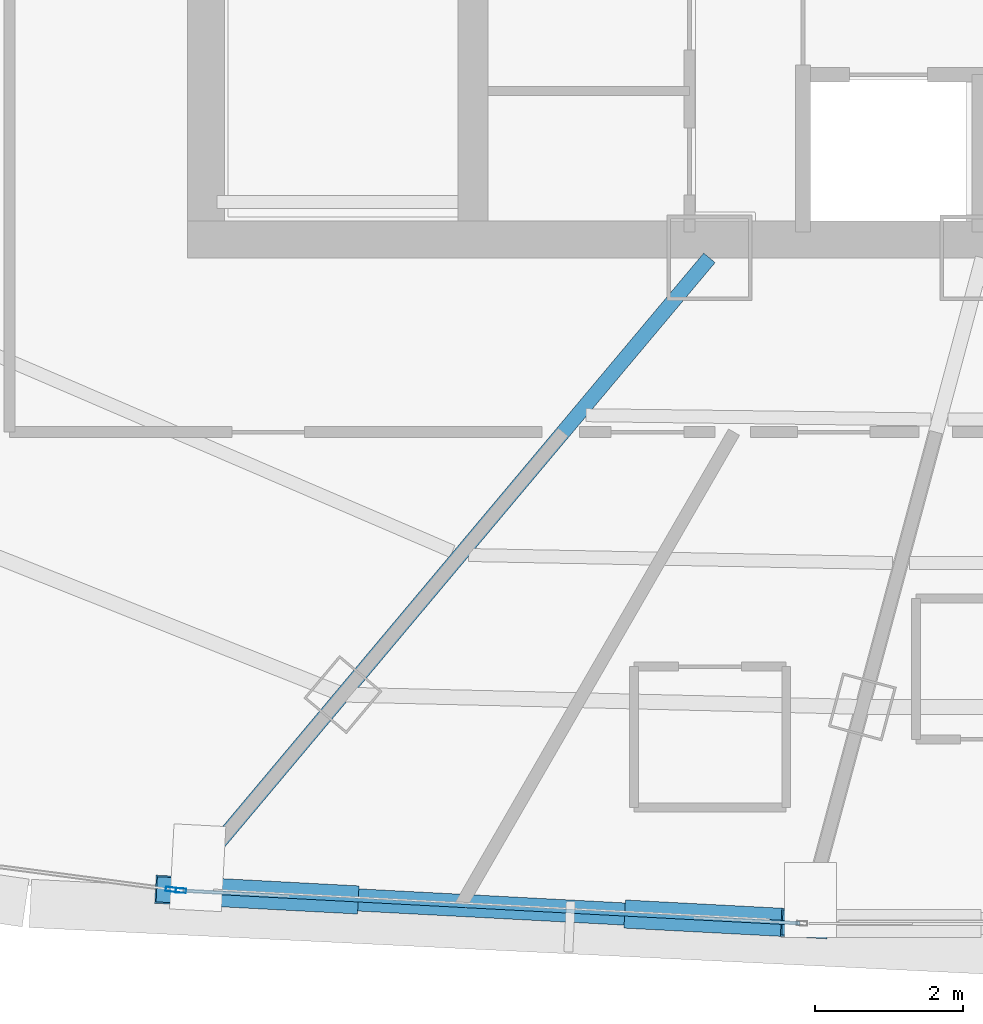
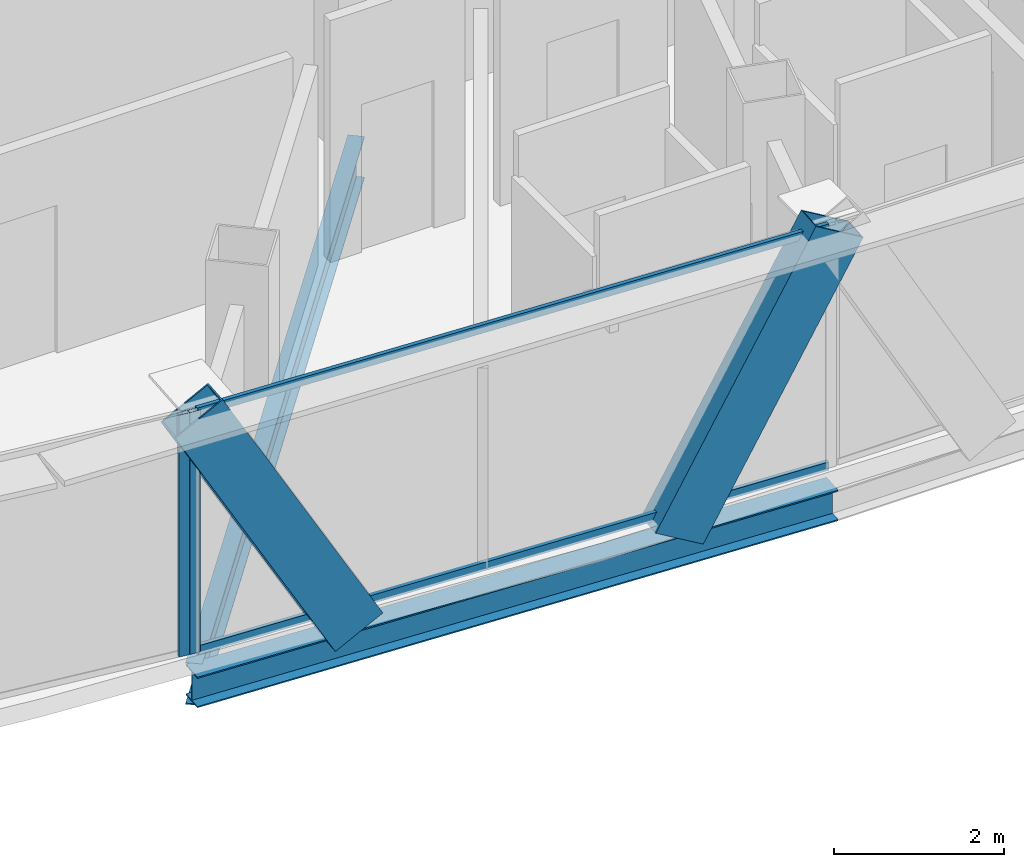
# One storey, part 6 of 39: 6 members, 2 beams, 2 elements without a shape of their own.
"""IFC4 building model written with IfcOpenShell, lengths in metres."""

from ifc_helpers import new_model, si_unit, direction, frame, origin, origin_2d, place, context, subcontext, project, spatial, hollow_rectangle, i_section, extrude, source, transform, mapped, material, layer, layer_set, material_profile, profile_set, type_object, element, aggregate, save


model = new_model("IFC4")

# Units and contexts
model_context = context("Model", 3, precision=1e-05, world=origin(), true_north=direction((0.0, 1.0)))
body_context = subcontext(model_context, "Body", "Model", "MODEL_VIEW")
ifc_project = project(units=[si_unit("LENGTHUNIT", "METRE"), si_unit("AREAUNIT", "SQUARE_METRE"), si_unit("VOLUMEUNIT", "CUBIC_METRE"), si_unit("PLANEANGLEUNIT", "RADIAN"), si_unit("MASSUNIT", "GRAM", prefix="KILO"), si_unit("THERMODYNAMICTEMPERATUREUNIT", "KELVIN"), si_unit("POWERUNIT", "WATT")], contexts=[model_context])

# Site, building, storey
site_placement = place(None, origin())
site = spatial("IfcSite", under=ifc_project, at=site_placement, CompositionType="ELEMENT")
building_placement = place(site_placement, origin())
building = spatial("IfcBuilding", under=site, at=building_placement, Name="Yunzhuo Pagoda Commons", CompositionType="ELEMENT")
storey_placement = place(building_placement, frame((0.0, 0.0, 285.02001953125)))
storey = spatial("IfcBuildingStorey", under=building, at=storey_placement, Name="L71", CompositionType="ELEMENT", Elevation=285.02001953125)

# Beams
ifc_material_1 = material(Name="Structural steel Q355B", Category="steel")
ifc_material_profile_1 = material_profile(ifc_material_1, i_section(OverallWidth=0.300048828125, OverallDepth=0.43994140625, WebThickness=0.010986328125, FlangeThickness=0.01806640625, at=origin_2d()), Name="Structural steel Q355B")
ifc_profile_set_1 = profile_set([ifc_material_profile_1], Name="Structural steel Q355B")
beam_type_1 = type_object("IfcBeamType", Name="B-SP2 Beam HM 440x300x11x18", PredefinedType="BEAM", material=ifc_profile_set_1)
shared_shape_1 = source(origin(), body_context, "Body", "SweptSolid", [
    extrude(i_section(OverallWidth=0.300048828125, OverallDepth=0.43994140625, WebThickness=0.010986328125, FlangeThickness=0.01806640625, at=origin_2d()), origin(), (0.0, 0.0, 1.0), 8.447021484375),
])
beam_1_placement = place(storey_placement, frame((35.431640625, 18.72119140625, -0.47998046875), z_axis=(0.99860638853, -0.05277575947, 0.0), x_axis=(0.05277575947, 0.99860638853, 0.0)))
element("IfcBeam", 1, at=beam_1_placement, inside=storey, type_object=beam_type_1, Name="L71 facade edge spandrel beam F1.1", PredefinedType="BEAM", context=body_context, shape_type="MappedRepresentation", body=[
    mapped(shared_shape_1, transform((0.0, 0.0, 0.0), scale=1.0)),
])
ifc_material_profile_2 = material_profile(ifc_material_1, i_section(OverallWidth=0.199951171875, OverallDepth=0.60009765625, WebThickness=0.010986328125, FlangeThickness=0.01708984375, at=origin_2d()), Name="Structural steel Q355B")
ifc_profile_set_2 = profile_set([ifc_material_profile_2], Name="Structural steel Q355B")
beam_type_2 = type_object("IfcBeamType", Name="B-RG3 Beam HN 600x200x11x17", PredefinedType="BEAM", material=ifc_profile_set_2)
shared_shape_2 = source(origin(), body_context, "Body", "SweptSolid", [
    extrude(i_section(OverallWidth=0.199951171875, OverallDepth=0.60009765625, WebThickness=0.010986328125, FlangeThickness=0.01708984375, at=origin_2d()), origin(), (0.0, 0.0, 1.0), 10.978515625),
])
beam_2_placement = place(storey_placement, frame((35.531005859375, 18.840087890625, -0.56005859375), z_axis=(0.642794591419, 0.766038584695, 0.0), x_axis=(-0.766038584695, 0.642794591419, 0.0)))
element("IfcBeam", 2, at=beam_2_placement, inside=storey, type_object=beam_type_2, Name="L71 radial floor girder F1C1", PredefinedType="BEAM", context=body_context, shape_type="MappedRepresentation", body=[
    mapped(shared_shape_2, transform((0.0, 0.0, 0.0), scale=1.0)),
])

# Members
ifc_material_profile_3 = material_profile(ifc_material_1, hollow_rectangle(XDim=0.3798828125, YDim=0.719970703125, WallThickness=0.02001953125, at=origin_2d()), Name="Structural steel Q355B")
ifc_profile_set_3 = profile_set([ifc_material_profile_3], Name="Structural steel Q355B")
member_type_1 = type_object("IfcMemberType", Name="M-DL3 Brace BOX 720x380x20", PredefinedType="BRACE", material=ifc_profile_set_3)
shared_shape_3 = source(origin(), body_context, "Body", "SweptSolid", [
    extrude(hollow_rectangle(XDim=0.3798828125, YDim=0.719970703125, WallThickness=0.02001953125, at=origin_2d()), origin(), (0.0, 0.0, 1.0), 4.286376953125),
])
member_1_placement = place(storey_placement, frame((41.758056640625, 18.38671875, -0.260009765625), z_axis=(0.492003866462, -0.025972882971, 0.870205495694), x_axis=(0.052716593913, 0.998609513637, 0.0)))
element("IfcMember", 3, at=member_1_placement, inside=storey, type_object=member_type_1, Name="L71 facade diamond brace F1.1R", PredefinedType="BRACE", context=body_context, shape_type="MappedRepresentation", body=[
    mapped(shared_shape_3, transform((0.0, 0.0, 0.0), scale=1.0)),
])
shared_shape_4 = source(origin(), body_context, "Body", "SweptSolid", [
    extrude(hollow_rectangle(XDim=0.3798828125, YDim=0.719970703125, WallThickness=0.02001953125, at=origin_2d()), origin(), (0.0, 0.0, 1.0), 4.2861328125),
])
member_2_placement = place(storey_placement, frame((37.540283203125, 18.609619140625, -0.260009765625), z_axis=(-0.49195996566, 0.026030531933, 0.870228592724), x_axis=(-0.052837977997, -0.998603098374, 0.0)))
element("IfcMember", 4, at=member_2_placement, inside=storey, type_object=member_type_1, Name="L71 facade diamond brace F1.1L", PredefinedType="BRACE", context=body_context, shape_type="MappedRepresentation", body=[
    mapped(shared_shape_4, transform((0.0, 0.0, 0.0), scale=1.0)),
])

# Curtain wall, members
ifc_material_2 = material(Name="Anodized aluminium 6063-T6", Category="aluminium")
ifc_layer = layer(ifc_material_2, 0.139892578125)
ifc_layer_set = layer_set([ifc_layer], Name="Anodized aluminium 6063-T6")
curtain_wall_type = type_object("IfcCurtainWallType", Name="CW-HI High-Zone Ribbon Curtain Wall", PredefinedType="NOTDEFINED", material=ifc_layer_set)
curtain_wall_1_placement = place(storey_placement, origin())
curtain_wall_1 = element("IfcCurtainWall", 5, at=curtain_wall_1_placement, inside=storey, type_object=curtain_wall_type, Name="L71 curtain wall CW-L71-F1B2", PredefinedType="NOTDEFINED")
ifc_material_profile_4 = material_profile(ifc_material_2, hollow_rectangle(XDim=0.054931640625, YDim=0.1201171875, WallThickness=0.00341796875, at=origin_2d()), Name="Anodized aluminium 6063-T6")
ifc_profile_set_4 = profile_set([ifc_material_profile_4], Name="Anodized aluminium 6063-T6")
member_type_2 = type_object("IfcMemberType", Name="CW-HI-T Transom RHS 120x55x3.5", PredefinedType="USERDEFINED", material=ifc_profile_set_4)
shared_shape_5 = source(origin(), body_context, "Body", "SweptSolid", [
    extrude(hollow_rectangle(XDim=0.054931640625, YDim=0.1201171875, WallThickness=0.00341796875, at=origin_2d()), origin(), (0.0, 0.0, 1.0), 8.327392578125),
])
member_3_placement = place(storey_placement, frame((35.4912109375, 18.718017578125, 0.027587890625), z_axis=(0.998605003422, -0.052801961515, 0.0), x_axis=(0.052801961515, 0.998605003422, 0.0)))
member_3 = element("IfcMember", 6, at=member_3_placement, type_object=member_type_2, Name="CW transom 1.1", ObjectType="TRANSOM", PredefinedType="USERDEFINED", context=body_context, shape_type="MappedRepresentation", body=[
    mapped(shared_shape_5, transform((0.0, 0.0, 0.0), scale=1.0)),
])
member_4_placement = place(storey_placement, frame((35.4912109375, 18.718017578125, 3.4423828125), z_axis=(0.998605003422, -0.052801961515, 0.0), x_axis=(0.052801961515, 0.998605003422, 0.0)))
member_4 = element("IfcMember", 7, at=member_4_placement, type_object=member_type_2, Name="CW transom 1.2", ObjectType="TRANSOM", PredefinedType="USERDEFINED", context=body_context, shape_type="MappedRepresentation", body=[
    mapped(shared_shape_5, transform((0.0, 0.0, 0.0), scale=1.0)),
])
ifc_material_profile_5 = material_profile(ifc_material_2, hollow_rectangle(XDim=0.06005859375, YDim=0.139892578125, WallThickness=0.00341796875, at=origin_2d()), Name="Anodized aluminium 6063-T6")
ifc_profile_set_5 = profile_set([ifc_material_profile_5], Name="Anodized aluminium 6063-T6")
member_type_3 = type_object("IfcMemberType", Name="CW-HI-M Mullion RHS 140x60x3.5", PredefinedType="MULLION", material=ifc_profile_set_5)
shared_shape_6 = source(origin(), body_context, "Body", "SweptSolid", [
    extrude(hollow_rectangle(XDim=0.06005859375, YDim=0.139892578125, WallThickness=0.00341796875, at=origin_2d()), origin(), (0.0, 0.0, 1.0), 3.4697265625),
])
member_5_placement = place(storey_placement, frame((35.46142578125, 18.7197265625, 0.000244140625), z_axis=(0.0, 0.0, 1.0), x_axis=(0.052821657014, 0.998603961814, 0.0)))
member_5 = element("IfcMember", 8, at=member_5_placement, type_object=member_type_3, Name="CW mullion 1", PredefinedType="MULLION", context=body_context, shape_type="MappedRepresentation", body=[
    mapped(shared_shape_6, transform((0.0, 0.0, 0.0), scale=1.0)),
])
aggregate(curtain_wall_1, [member_5, member_3, member_4])

# Curtain wall, member
curtain_wall_2_placement = place(storey_placement, origin())
curtain_wall_2 = element("IfcCurtainWall", 9, at=curtain_wall_2_placement, inside=storey, type_object=curtain_wall_type, Name="L71 curtain wall CW-L71-F1B1", PredefinedType="NOTDEFINED")
member_6_placement = place(storey_placement, frame((35.3271484375, 18.735107421875, 0.000244140625), z_axis=(0.0, 0.0, 1.0), x_axis=(0.131311416098, 0.991341168318, 0.0)))
member_6 = element("IfcMember", 10, at=member_6_placement, type_object=member_type_3, Name="CW mullion 2", PredefinedType="MULLION", context=body_context, shape_type="MappedRepresentation", body=[
    mapped(shared_shape_6, transform((0.0, 0.0, 0.0), scale=1.0)),
])
aggregate(curtain_wall_2, [member_6])

save(model, "model.ifc")
